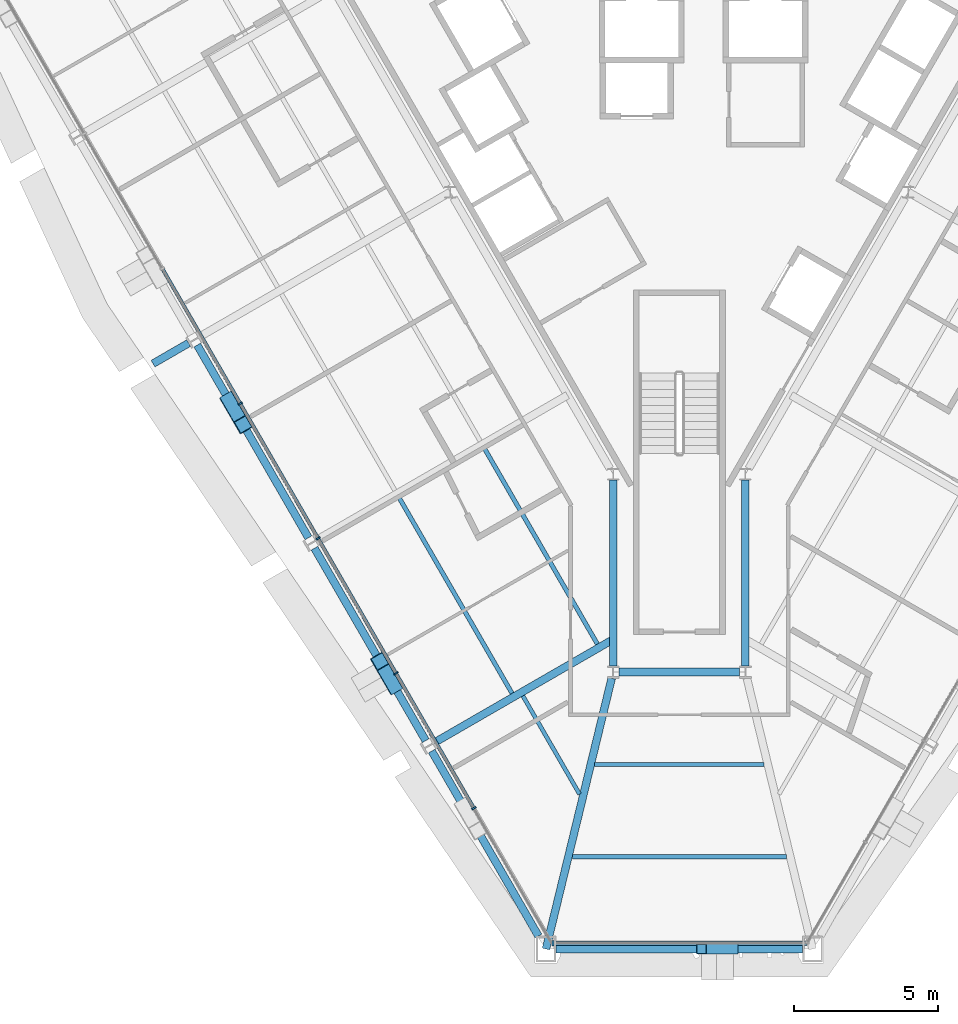
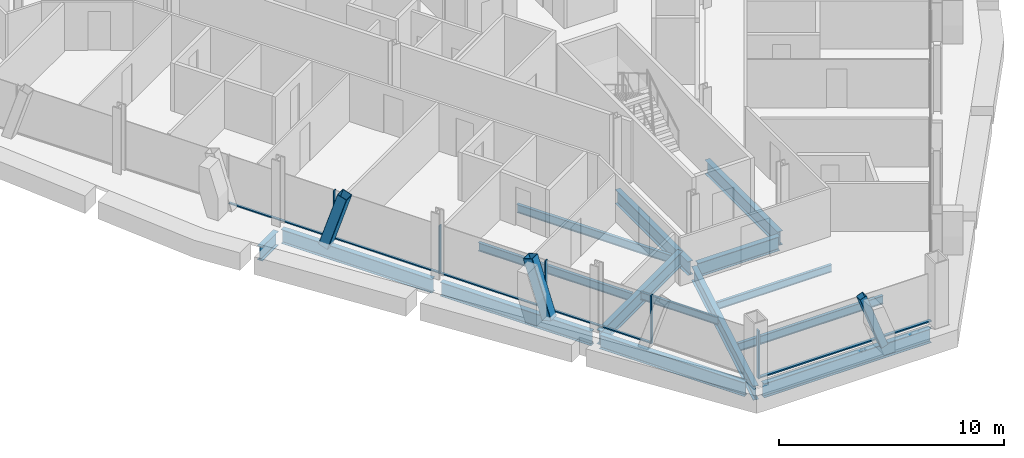
# One storey, part 3 of 19: 15 beams, 13 members, 2 elements without a shape of their own.
"""IFC4 building model written with IfcOpenShell, lengths in metres."""

from ifc_helpers import new_model, si_unit, direction, frame, origin, origin_2d, place, context, subcontext, project, spatial, rectangle, hollow_rectangle, i_section, extrude, material, material_profile, profile_set, type_object, element, aggregate, save


model = new_model("IFC4")

# Units and contexts
model_context = context("Model", 3, precision=1e-05, world=origin(), true_north=direction((0.0, 1.0)))
body_context = subcontext(model_context, "Body", "Model", "MODEL_VIEW")
ifc_project = project(units=[si_unit("LENGTHUNIT", "METRE"), si_unit("AREAUNIT", "SQUARE_METRE"), si_unit("VOLUMEUNIT", "CUBIC_METRE"), si_unit("PLANEANGLEUNIT", "RADIAN"), si_unit("MASSUNIT", "GRAM", prefix="KILO")], contexts=[model_context])

# Site, building, storey
site_placement = place(None, origin())
site = spatial("IfcSite", under=ifc_project, at=site_placement, CompositionType="ELEMENT")
building_placement = place(site_placement, origin())
building = spatial("IfcBuilding", under=site, at=building_placement, Name="Verrane Prism Tower", CompositionType="ELEMENT")
storey_placement = place(building_placement, frame((0.0, 0.0, 125.199951171875)))
storey = spatial("IfcBuildingStorey", under=building, at=storey_placement, Name="L30", CompositionType="ELEMENT", Elevation=125.199951171875)

# Member
ifc_material_1 = material(Name="Steel A500 Grade C", Category="steel")
ifc_material_profile_1 = material_profile(ifc_material_1, hollow_rectangle(XDim=0.355712890625, YDim=0.355712890625, WallThickness=0.0126953125, InnerFilletRadius=0.00634765625, OuterFilletRadius=0.01904296875, at=origin_2d()), Name="HSS14x14x1/2")
ifc_profile_set_1 = profile_set([ifc_material_profile_1], Name="Steel A500 Grade C")
member_type_1 = type_object("IfcMemberType", Name="Chamfer brace HSS14x14x1/2", PredefinedType="BRACE", material=ifc_profile_set_1)
member_1_placement = place(storey_placement, frame((1.878662109375, -30.93994140625, -0.2451171875), z_axis=(-0.345574553277, 0.0, 0.938391297982), x_axis=(0.0, -1.0, 0.0)))
element("IfcMember", 1, at=member_1_placement, inside=storey, type_object=member_type_1, Name="Chamfer brace S0 L30", PredefinedType="BRACE", context=body_context, shape_type="SweptSolid", body=[
    extrude(hollow_rectangle(XDim=0.355712890625, YDim=0.355712890625, WallThickness=0.0126953125, InnerFilletRadius=0.00634765625, OuterFilletRadius=0.01904296875, at=origin_2d()), origin(), (0.0, 0.0, 1.0), 3.200439453125),
])

# Beams
ifc_material_2 = material(Name="Steel A992", Category="steel")
ifc_material_profile_2 = material_profile(ifc_material_2, i_section(OverallWidth=0.2666015625, OverallDepth=0.76708984375, WebThickness=0.014892578125, FlangeThickness=0.023681640625, FilletRadius=0.0166015625, at=origin_2d()), Name="W30x124")
ifc_profile_set_2 = profile_set([ifc_material_profile_2], Name="Steel A992")
beam_type_1 = type_object("IfcBeamType", Name="Chamfer spandrel beam W30x124", PredefinedType="SPANDREL", material=ifc_profile_set_2)
beam_1_placement = place(storey_placement, frame((-4.2900390625, -30.93994140625, -0.54345703125), z_axis=(1.0, 0.0, 0.0), x_axis=(0.0, 1.0, 0.0)))
element("IfcBeam", 2, at=beam_1_placement, inside=storey, type_object=beam_type_1, Name="Chamfer spandrel beam L30", PredefinedType="SPANDREL", context=body_context, shape_type="SweptSolid", body=[
    extrude(i_section(OverallWidth=0.2666015625, OverallDepth=0.76708984375, WebThickness=0.014892578125, FlangeThickness=0.023681640625, FilletRadius=0.0166015625, at=origin_2d()), origin(), (0.0, 0.0, 1.0), 8.580078125),
])
ifc_material_3 = material(Name="Steel A992", Category="steel")
ifc_material_profile_3 = material_profile(ifc_material_3, i_section(OverallWidth=0.2666015625, OverallDepth=0.7568359375, WebThickness=0.013916015625, FlangeThickness=0.019287109375, FilletRadius=0.0166015625, at=origin_2d()), Name="W30x108")
ifc_profile_set_3 = profile_set([ifc_material_profile_3], Name="Steel A992")
beam_type_2 = type_object("IfcBeamType", Name="Core ring girder W30x108", PredefinedType="BEAM", material=ifc_profile_set_3)
beam_2_placement = place(storey_placement, frame((-2.300048828125, -14.619384765625, -0.62841796875), z_axis=(0.0, -1.0, 0.0), x_axis=(1.0, 0.0, 0.0)))
element("IfcBeam", 3, at=beam_2_placement, inside=storey, type_object=beam_type_2, Name="Core ring girder L30", PredefinedType="BEAM", context=body_context, shape_type="SweptSolid", body=[
    extrude(i_section(OverallWidth=0.2666015625, OverallDepth=0.7568359375, WebThickness=0.013916015625, FlangeThickness=0.019287109375, FilletRadius=0.0166015625, at=origin_2d()), origin(), (0.0, 0.0, 1.0), 6.46337890625),
])
beam_3_placement = place(storey_placement, frame((-2.09423828125, -21.300048828125, -0.62841796875), z_axis=(1.0, 0.0, 0.0), x_axis=(0.0, 1.0, 0.0)))
element("IfcBeam", 4, at=beam_3_placement, inside=storey, type_object=beam_type_2, Name="Core ring girder L30", PredefinedType="BEAM", context=body_context, shape_type="SweptSolid", body=[
    extrude(i_section(OverallWidth=0.2666015625, OverallDepth=0.7568359375, WebThickness=0.013916015625, FlangeThickness=0.019287109375, FilletRadius=0.0166015625, at=origin_2d()), origin(), (0.0, 0.0, 1.0), 4.1884765625),
])
beam_4_placement = place(storey_placement, frame((2.300048828125, -21.082763671875, -0.62841796875), z_axis=(0.0, 1.0, 0.0), x_axis=(-1.0, 0.0, 0.0)))
element("IfcBeam", 5, at=beam_4_placement, inside=storey, type_object=beam_type_2, Name="Core ring girder L30", PredefinedType="BEAM", context=body_context, shape_type="SweptSolid", body=[
    extrude(i_section(OverallWidth=0.2666015625, OverallDepth=0.7568359375, WebThickness=0.013916015625, FlangeThickness=0.019287109375, FilletRadius=0.0166015625, at=origin_2d()), origin(), (0.0, 0.0, 1.0), 6.46337890625),
])
ifc_material_4 = material(Name="Steel A992", Category="steel")
ifc_material_profile_4 = material_profile(ifc_material_4, i_section(OverallWidth=0.2666015625, OverallDepth=0.76708984375, WebThickness=0.014892578125, FlangeThickness=0.023681640625, FilletRadius=0.0166015625, at=origin_2d()), Name="W30x124")
ifc_profile_set_4 = profile_set([ifc_material_profile_4], Name="Steel A992")
beam_type_3 = type_object("IfcBeamType", Name="Corner girder W30x124", PredefinedType="BEAM", material=ifc_profile_set_4)
beam_5_placement = place(storey_placement, frame((-4.639404296875, -30.93798828125, -0.603515625), z_axis=(0.235869588092, 0.971784717627, 0.0), x_axis=(-0.971784717627, 0.235869588092, 0.0)))
element("IfcBeam", 6, at=beam_5_placement, inside=storey, type_object=beam_type_3, Name="Corner girder L30", PredefinedType="BEAM", context=body_context, shape_type="SweptSolid", body=[
    extrude(i_section(OverallWidth=0.2666015625, OverallDepth=0.76708984375, WebThickness=0.014892578125, FlangeThickness=0.023681640625, FilletRadius=0.0166015625, at=origin_2d()), origin(), (0.0, 0.0, 1.0), 9.6943359375),
])

# Members
ifc_material_5 = material(Name="Steel A1085 Grade A", Category="steel")
ifc_material_profile_5 = material_profile(ifc_material_5, hollow_rectangle(XDim=0.508056640625, YDim=0.508056640625, WallThickness=0.025390625, InnerFilletRadius=0.0126953125, OuterFilletRadius=0.0380859375, at=origin_2d()), Name="HSS20x20x1")
ifc_profile_set_5 = profile_set([ifc_material_profile_5], Name="Steel A1085 Grade A")
member_type_2 = type_object("IfcMemberType", Name="Facade brace HSS20x20x1", PredefinedType="BRACE", material=ifc_profile_set_5)
member_2_placement = place(storey_placement, frame((-15.66650390625, -11.843017578125, -0.242431640625), z_axis=(0.154113168776, -0.266918449127, 0.951316809862), x_axis=(0.866014543207, 0.500018810599, 0.0)))
element("IfcMember", 7, at=member_2_placement, inside=storey, type_object=member_type_2, Name="Facade brace SW3 L30", PredefinedType="BRACE", context=body_context, shape_type="SweptSolid", body=[
    extrude(hollow_rectangle(XDim=0.508056640625, YDim=0.508056640625, WallThickness=0.025390625, InnerFilletRadius=0.0126953125, OuterFilletRadius=0.0380859375, at=origin_2d()), origin(), (0.0, 0.0, 1.0), 3.162109375),
])
member_3_placement = place(storey_placement, frame((-9.93359375, -21.77001953125, -0.242431640625), z_axis=(-0.154053654458, 0.266563015132, 0.951426103548), x_axis=(-0.865809537846, -0.50037370452, 0.0)))
element("IfcMember", 8, at=member_3_placement, inside=storey, type_object=member_type_2, Name="Facade brace SW4 L30", PredefinedType="BRACE", context=body_context, shape_type="SweptSolid", body=[
    extrude(hollow_rectangle(XDim=0.508056640625, YDim=0.508056640625, WallThickness=0.025390625, InnerFilletRadius=0.0126953125, OuterFilletRadius=0.0380859375, at=origin_2d()), origin(), (0.0, 0.0, 1.0), 3.16162109375),
])

# Beams
ifc_material_6 = material(Name="Steel A992", Category="steel")
ifc_material_profile_6 = material_profile(ifc_material_6, i_section(OverallWidth=0.140380859375, OverallDepth=0.40380859375, WebThickness=0.007080078125, FlangeThickness=0.01123046875, FilletRadius=0.01025390625, at=origin_2d()), Name="W16x31")
ifc_profile_set_6 = profile_set([ifc_material_profile_6], Name="Steel A992")
beam_type_4 = type_object("IfcBeamType", Name="Floor beam W16x31", PredefinedType="BEAM", material=ifc_profile_set_6)
beam_6_placement = place(storey_placement, frame((-3.46923828125, -25.55126953125, -0.36181640625), z_axis=(-0.499995367196, 0.866028078518, 0.0), x_axis=(-0.866028078518, -0.499995367196, 0.0)))
element("IfcBeam", 9, at=beam_6_placement, inside=storey, type_object=beam_type_4, Name="Floor beam L30", PredefinedType="BEAM", context=body_context, shape_type="SweptSolid", body=[
    extrude(i_section(OverallWidth=0.140380859375, OverallDepth=0.40380859375, WebThickness=0.007080078125, FlangeThickness=0.01123046875, FilletRadius=0.01025390625, at=origin_2d()), origin(), (0.0, 0.0, 1.0), 3.94921875),
])
beam_7_placement = place(storey_placement, frame((-2.942626953125, -24.51318359375, -0.36181640625), z_axis=(1.0, 0.0, 0.0), x_axis=(0.0, 1.0, 0.0)))
element("IfcBeam", 10, at=beam_7_placement, inside=storey, type_object=beam_type_4, Name="Floor beam L30", PredefinedType="BEAM", context=body_context, shape_type="SweptSolid", body=[
    extrude(i_section(OverallWidth=0.140380859375, OverallDepth=0.40380859375, WebThickness=0.007080078125, FlangeThickness=0.01123046875, FilletRadius=0.01025390625, at=origin_2d()), origin(), (0.0, 0.0, 1.0), 5.88525390625),
])
ifc_material_7 = material(Name="Steel A992", Category="steel")
ifc_material_profile_7 = material_profile(ifc_material_7, i_section(OverallWidth=0.15234375, OverallDepth=0.449462890625, WebThickness=0.007568359375, FlangeThickness=0.0107421875, FilletRadius=0.01025390625, at=origin_2d()), Name="W18x35")
ifc_profile_set_7 = profile_set([ifc_material_profile_7], Name="Steel A992")
beam_type_5 = type_object("IfcBeamType", Name="Floor beam W18x35", PredefinedType="BEAM", material=ifc_profile_set_7)
beam_8_placement = place(storey_placement, frame((-2.85107421875, -20.32421875, -0.384765625), z_axis=(-0.499996836462, 0.866027230246, 0.0), x_axis=(-0.866027230246, -0.499996836462, 0.0)))
element("IfcBeam", 11, at=beam_8_placement, inside=storey, type_object=beam_type_5, Name="Floor beam L30", PredefinedType="BEAM", context=body_context, shape_type="SweptSolid", body=[
    extrude(i_section(OverallWidth=0.15234375, OverallDepth=0.449462890625, WebThickness=0.007568359375, FlangeThickness=0.0107421875, FilletRadius=0.01025390625, at=origin_2d()), origin(), (0.0, 0.0, 1.0), 7.8818359375),
])
beam_9_placement = place(storey_placement, frame((-5.8203125, -22.040283203125, -0.384765625), z_axis=(-0.500002097505, 0.866024192786, 0.0), x_axis=(-0.866024192786, -0.500002097505, 0.0)))
element("IfcBeam", 12, at=beam_9_placement, inside=storey, type_object=beam_type_5, Name="Floor beam L30", PredefinedType="BEAM", context=body_context, shape_type="SweptSolid", body=[
    extrude(i_section(OverallWidth=0.15234375, OverallDepth=0.449462890625, WebThickness=0.007568359375, FlangeThickness=0.0107421875, FilletRadius=0.01025390625, at=origin_2d()), origin(), (0.0, 0.0, 1.0), 7.884765625),
])
beam_10_placement = place(storey_placement, frame((-3.72265625, -27.726806640625, -0.384765625), z_axis=(1.0, 0.0, 0.0), x_axis=(0.0, 1.0, 0.0)))
element("IfcBeam", 13, at=beam_10_placement, inside=storey, type_object=beam_type_5, Name="Floor beam L30", PredefinedType="BEAM", context=body_context, shape_type="SweptSolid", body=[
    extrude(i_section(OverallWidth=0.15234375, OverallDepth=0.449462890625, WebThickness=0.007568359375, FlangeThickness=0.0107421875, FilletRadius=0.01025390625, at=origin_2d()), origin(), (0.0, 0.0, 1.0), 7.4453125),
])

# Curtain wall, members
ifc_material_8 = material(Name="Aluminium framed insulated glazing", Category="aluminium")
curtain_wall_type_1 = type_object("IfcCurtainWallType", Name="Curtain wall CW-B 5600 module", PredefinedType="NOTDEFINED", material=ifc_material_8)
curtain_wall_1_placement = place(storey_placement, origin())
curtain_wall_1 = element("IfcCurtainWall", 14, at=curtain_wall_1_placement, inside=storey, type_object=curtain_wall_type_1, Name="Glazed curtain wall south-west face L30", PredefinedType="NOTDEFINED")
ifc_material_9 = material(Name="Aluminium alloy 6063-T6", Category="aluminium")
ifc_material_profile_8 = material_profile(ifc_material_9, rectangle(XDim=0.159912109375, YDim=0.06005859375, at=origin_2d()), Name="Mullion 60x160 aluminium")
ifc_profile_set_8 = profile_set([ifc_material_profile_8], Name="Aluminium alloy 6063-T6")
member_type_3 = type_object("IfcMemberType", Name="Mullion 60x160 aluminium", PredefinedType="MULLION", material=ifc_profile_set_8)
member_4_placement = place(storey_placement, frame((-15.28173828125, -11.953369140625, 0.0), z_axis=(0.0, 0.0, 1.0), x_axis=(0.866025327793, 0.500000131621, 0.0)))
member_4 = element("IfcMember", 15, at=member_4_placement, type_object=member_type_3, Name="CW29.4 mullion 6", PredefinedType="MULLION", context=body_context, shape_type="SweptSolid", body=[
    extrude(rectangle(XDim=0.159912109375, YDim=0.06005859375, at=origin_2d()), origin(), (0.0, 0.0, 1.0), 2.613037109375),
])
member_5_placement = place(storey_placement, frame((-12.57080078125, -16.648681640625, 0.0), z_axis=(0.0, 0.0, 1.0), x_axis=(0.866025327793, 0.500000131621, 0.0)))
member_5 = element("IfcMember", 16, at=member_5_placement, type_object=member_type_3, Name="CW29.4 mullion 7", PredefinedType="MULLION", context=body_context, shape_type="SweptSolid", body=[
    extrude(rectangle(XDim=0.159912109375, YDim=0.06005859375, at=origin_2d()), origin(), (0.0, 0.0, 1.0), 2.613037109375),
])
member_6_placement = place(storey_placement, frame((-9.85986328125, -21.34423828125, 0.0), z_axis=(0.0, 0.0, 1.0), x_axis=(0.866025327793, 0.500000131621, 0.0)))
member_6 = element("IfcMember", 17, at=member_6_placement, type_object=member_type_3, Name="CW29.4 mullion 8", PredefinedType="MULLION", context=body_context, shape_type="SweptSolid", body=[
    extrude(rectangle(XDim=0.159912109375, YDim=0.06005859375, at=origin_2d()), origin(), (0.0, 0.0, 1.0), 2.613037109375),
])
member_7_placement = place(storey_placement, frame((-7.14892578125, -26.039794921875, 0.0), z_axis=(0.0, 0.0, 1.0), x_axis=(0.866025327793, 0.500000131621, 0.0)))
member_7 = element("IfcMember", 18, at=member_7_placement, type_object=member_type_3, Name="CW29.4 mullion 9", PredefinedType="MULLION", context=body_context, shape_type="SweptSolid", body=[
    extrude(rectangle(XDim=0.159912109375, YDim=0.06005859375, at=origin_2d()), origin(), (0.0, 0.0, 1.0), 2.613037109375),
])

# Curtain wall, member
ifc_material_10 = material(Name="Aluminium framed insulated glazing", Category="aluminium")
curtain_wall_type_2 = type_object("IfcCurtainWallType", Name="Curtain wall CW-A 8400 module", PredefinedType="NOTDEFINED", material=ifc_material_10)
curtain_wall_2_placement = place(storey_placement, origin())
curtain_wall_2 = element("IfcCurtainWall", 19, at=curtain_wall_2_placement, inside=storey, type_object=curtain_wall_type_2, Name="Glazed curtain wall south corner L30", PredefinedType="NOTDEFINED")
ifc_material_11 = material(Name="Aluminium alloy 6063-T6", Category="aluminium")
ifc_material_profile_9 = material_profile(ifc_material_11, rectangle(XDim=0.199951171875, YDim=0.070068359375, at=origin_2d()), Name="Mullion 70x200 aluminium")
ifc_profile_set_9 = profile_set([ifc_material_profile_9], Name="Aluminium alloy 6063-T6")
member_type_4 = type_object("IfcMemberType", Name="Mullion 70x200 aluminium", PredefinedType="MULLION", material=ifc_profile_set_9)
member_8_placement = place(storey_placement, frame((-4.40283203125, -30.7353515625, 0.0), z_axis=(0.0, 0.0, 1.0), x_axis=(0.0, 1.0, 0.0)))
member_8 = element("IfcMember", 20, at=member_8_placement, type_object=member_type_4, Name="CW29.5 mullion 1", PredefinedType="MULLION", context=body_context, shape_type="SweptSolid", body=[
    extrude(rectangle(XDim=0.199951171875, YDim=0.070068359375, at=origin_2d()), origin(), (0.0, 0.0, 1.0), 2.613037109375),
])

# Beams
ifc_material_12 = material(Name="Steel A992", Category="steel")
ifc_material_profile_10 = material_profile(ifc_material_12, i_section(OverallWidth=0.2666015625, OverallDepth=0.76708984375, WebThickness=0.014892578125, FlangeThickness=0.023681640625, FilletRadius=0.0166015625, at=origin_2d()), Name="W30x124")
ifc_profile_set_10 = profile_set([ifc_material_profile_10], Name="Steel A992")
beam_type_6 = type_object("IfcBeamType", Name="Radial girder W30x124", PredefinedType="BEAM", material=ifc_profile_set_10)
beam_11_placement = place(storey_placement, frame((-8.523193359375, -23.75634765625, -0.603515625), z_axis=(0.866020377705, 0.500008705323, 0.0), x_axis=(-0.500008705323, 0.866020377705, 0.0)))
element("IfcBeam", 21, at=beam_11_placement, inside=storey, type_object=beam_type_6, Name="Radial girder L30", PredefinedType="BEAM", context=body_context, shape_type="SweptSolid", body=[
    extrude(i_section(OverallWidth=0.2666015625, OverallDepth=0.76708984375, WebThickness=0.014892578125, FlangeThickness=0.023681640625, FilletRadius=0.0166015625, at=origin_2d()), origin(), (0.0, 0.0, 1.0), 7.185791015625),
])
beam_12_placement = place(storey_placement, frame((-17.073486328125, -9.851806640625, -0.603515625), z_axis=(-0.866063538972, -0.499933942099, 0.0), x_axis=(0.499933942099, -0.866063538972, 0.0)))
element("IfcBeam", 22, at=beam_12_placement, inside=storey, type_object=beam_type_6, Name="Cantilever girder L30", PredefinedType="BEAM", context=body_context, shape_type="SweptSolid", body=[
    extrude(i_section(OverallWidth=0.2666015625, OverallDepth=0.76708984375, WebThickness=0.014892578125, FlangeThickness=0.023681640625, FilletRadius=0.0166015625, at=origin_2d()), origin(), (0.0, 0.0, 1.0), 1.432373046875),
])
ifc_material_13 = material(Name="Steel A992", Category="steel")
ifc_material_profile_11 = material_profile(ifc_material_13, i_section(OverallWidth=0.2666015625, OverallDepth=0.7568359375, WebThickness=0.013916015625, FlangeThickness=0.019287109375, FilletRadius=0.0166015625, at=origin_2d()), Name="W30x108")
ifc_profile_set_11 = profile_set([ifc_material_profile_11], Name="Steel A992")
beam_type_7 = type_object("IfcBeamType", Name="Spandrel beam W30x108", PredefinedType="SPANDREL", material=ifc_profile_set_11)
beam_13_placement = place(storey_placement, frame((-16.775390625, -9.92138671875, -0.538330078125), z_axis=(0.499835262026, -0.866120494409, 0.0), x_axis=(0.866120494409, 0.499835262026, 0.0)))
element("IfcBeam", 23, at=beam_13_placement, inside=storey, type_object=beam_type_7, Name="Spandrel beam L30", PredefinedType="SPANDREL", context=body_context, shape_type="SweptSolid", body=[
    extrude(i_section(OverallWidth=0.2666015625, OverallDepth=0.7568359375, WebThickness=0.013916015625, FlangeThickness=0.019287109375, FilletRadius=0.0166015625, at=origin_2d()), origin(), (0.0, 0.0, 1.0), 7.74365234375),
])
beam_14_placement = place(storey_placement, frame((-12.695068359375, -16.991455078125, -0.538330078125), z_axis=(0.500334388905, -0.865832258165, 0.0), x_axis=(0.865832258165, 0.500334388905, 0.0)))
element("IfcBeam", 24, at=beam_14_placement, inside=storey, type_object=beam_type_7, Name="Spandrel beam L30", PredefinedType="SPANDREL", context=body_context, shape_type="SweptSolid", body=[
    extrude(i_section(OverallWidth=0.2666015625, OverallDepth=0.7568359375, WebThickness=0.013916015625, FlangeThickness=0.019287109375, FilletRadius=0.0166015625, at=origin_2d()), origin(), (0.0, 0.0, 1.0), 7.735107421875),
])
beam_15_placement = place(storey_placement, frame((-8.615234375, -24.051513671875, -0.538330078125), z_axis=(0.499830490961, -0.866123247757, 0.0), x_axis=(0.866123247757, 0.499830490961, 0.0)))
element("IfcBeam", 25, at=beam_15_placement, inside=storey, type_object=beam_type_7, Name="Spandrel beam L30", PredefinedType="SPANDREL", context=body_context, shape_type="SweptSolid", body=[
    extrude(i_section(OverallWidth=0.2666015625, OverallDepth=0.7568359375, WebThickness=0.013916015625, FlangeThickness=0.019287109375, FilletRadius=0.0166015625, at=origin_2d()), origin(), (0.0, 0.0, 1.0), 7.43359375),
])

# Member
ifc_material_14 = material(Name="Aluminium alloy 6063-T6", Category="aluminium")
ifc_material_profile_12 = material_profile(ifc_material_14, rectangle(XDim=0.1201171875, YDim=0.06005859375, at=origin_2d()), Name="Transom 60x120 aluminium")
ifc_profile_set_12 = profile_set([ifc_material_profile_12], Name="Aluminium alloy 6063-T6")
member_type_5 = type_object("IfcMemberType", Name="Transom 60x120 aluminium", PredefinedType="USERDEFINED", material=ifc_profile_set_12)
member_9_placement = place(storey_placement, frame((-17.977783203125, -7.28369140625, 0.030029296875), z_axis=(0.500027246275, -0.866009672569, 0.0), x_axis=(0.866009672569, 0.500027246275, 0.0)))
member_9 = element("IfcMember", 26, at=member_9_placement, type_object=member_type_5, Name="CW29.4 transom 5", ObjectType="TRANSOM", PredefinedType="USERDEFINED", context=body_context, shape_type="SweptSolid", body=[
    extrude(rectangle(XDim=0.1201171875, YDim=0.06005859375, at=origin_2d()), origin(), (0.0, 0.0, 1.0), 5.362060546875),
])

member_10_placement = place(storey_placement, frame((-15.2666015625, -11.979248046875, 0.030029296875), z_axis=(0.499993097703, -0.866029388791, 0.0), x_axis=(0.866029388791, 0.499993097703, 0.0)))
member_10 = element("IfcMember", 27, at=member_10_placement, type_object=member_type_5, Name="CW29.4 transom 6", ObjectType="TRANSOM", PredefinedType="USERDEFINED", context=body_context, shape_type="SweptSolid", body=[
    extrude(rectangle(XDim=0.1201171875, YDim=0.06005859375, at=origin_2d()), origin(), (0.0, 0.0, 1.0), 5.36181640625),
])

member_11_placement = place(storey_placement, frame((-12.5556640625, -16.6748046875, 0.030029296875), z_axis=(0.499993097703, -0.866029388791, 0.0), x_axis=(0.866029388791, 0.499993097703, 0.0)))
member_11 = element("IfcMember", 28, at=member_11_placement, type_object=member_type_5, Name="CW29.4 transom 7", ObjectType="TRANSOM", PredefinedType="USERDEFINED", context=body_context, shape_type="SweptSolid", body=[
    extrude(rectangle(XDim=0.1201171875, YDim=0.06005859375, at=origin_2d()), origin(), (0.0, 0.0, 1.0), 5.36181640625),
])

member_12_placement = place(storey_placement, frame((-9.8447265625, -21.370361328125, 0.030029296875), z_axis=(0.499993097703, -0.866029388791, 0.0), x_axis=(0.866029388791, 0.499993097703, 0.0)))
member_12 = element("IfcMember", 29, at=member_12_placement, type_object=member_type_5, Name="CW29.4 transom 8", ObjectType="TRANSOM", PredefinedType="USERDEFINED", context=body_context, shape_type="SweptSolid", body=[
    extrude(rectangle(XDim=0.1201171875, YDim=0.06005859375, at=origin_2d()), origin(), (0.0, 0.0, 1.0), 5.36181640625),
])

aggregate(curtain_wall_1, [member_4, member_5, member_6, member_7, member_9, member_10, member_11, member_12])

ifc_material_15 = material(Name="Aluminium alloy 6063-T6", Category="aluminium")
ifc_material_profile_13 = material_profile(ifc_material_15, rectangle(XDim=0.14990234375, YDim=0.070068359375, at=origin_2d()), Name="Transom 70x150 aluminium")
ifc_profile_set_13 = profile_set([ifc_material_profile_13], Name="Aluminium alloy 6063-T6")
member_type_6 = type_object("IfcMemberType", Name="Transom 70x150 aluminium", PredefinedType="USERDEFINED", material=ifc_profile_set_13)
member_13_placement = place(storey_placement, frame((-4.367919921875, -30.7353515625, 0.03515625), z_axis=(1.0, 0.0, 0.0), x_axis=(0.0, 1.0, 0.0)))
member_13 = element("IfcMember", 30, at=member_13_placement, type_object=member_type_6, Name="CW29.5 transom 1", ObjectType="TRANSOM", PredefinedType="USERDEFINED", context=body_context, shape_type="SweptSolid", body=[
    extrude(rectangle(XDim=0.14990234375, YDim=0.070068359375, at=origin_2d()), origin(), (0.0, 0.0, 1.0), 8.805908203125),
])

aggregate(curtain_wall_2, [member_8, member_13])

save(model, "model.ifc")
